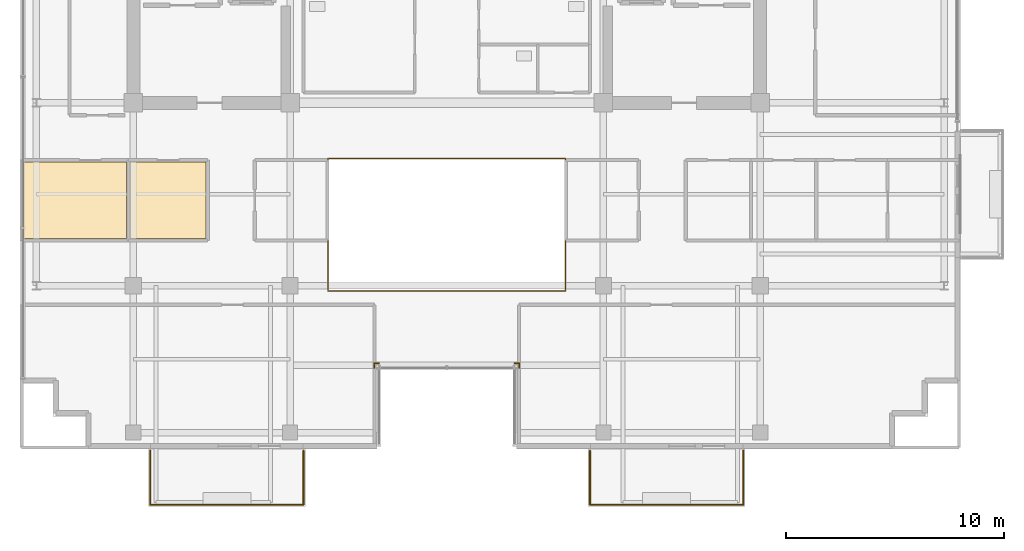
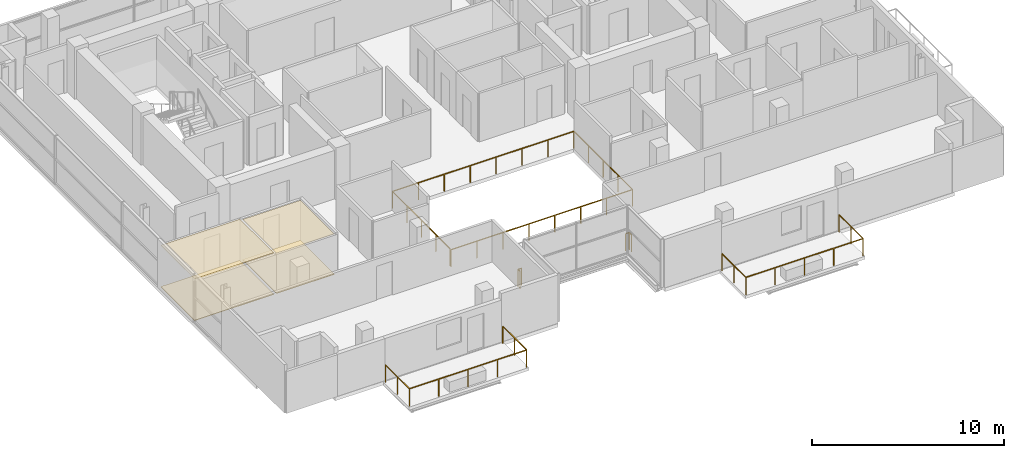
# One storey, part 19 of 22: 7 railings, 4 coverings.
"""IFC4 building model written with IfcOpenShell, lengths in metres."""

from ifc_helpers import new_model, si_unit, direction, frame, origin, origin_2d, place, context, subcontext, project, spatial, polyline, rectangle, outline, extrude, material, layer, layer_set, type_object, element, save


model = new_model("IFC4")

# Units and contexts
model_context = context("Model", 3, precision=1e-05, world=origin(), true_north=direction((0.0, 1.0)))
body_context = subcontext(model_context, "Body", "Model", "MODEL_VIEW")
ifc_project = project(units=[si_unit("LENGTHUNIT", "METRE"), si_unit("AREAUNIT", "SQUARE_METRE"), si_unit("VOLUMEUNIT", "CUBIC_METRE"), si_unit("PLANEANGLEUNIT", "RADIAN"), si_unit("MASSUNIT", "GRAM", prefix="KILO")], contexts=[model_context])

# Site, building, storey
site_placement = place(None, origin())
site = spatial("IfcSite", under=ifc_project, at=site_placement, CompositionType="ELEMENT")
building_placement = place(site_placement, origin())
building = spatial("IfcBuilding", under=site, at=building_placement, Name="Zarnakvel Exchange Tower", CompositionType="ELEMENT")
storey_placement = place(building_placement, frame((0.0, 0.0, 251.800048828125)))
storey = spatial("IfcBuildingStorey", under=building, at=storey_placement, Name="L71", CompositionType="ELEMENT", Elevation=251.800048828125)

# Coverings
ifc_material_1 = material(Name="Perforated Bronze Acoustic Metal Ceiling", Category="aluminium")
ifc_layer_1 = layer(ifc_material_1, 0.02001953125)
ifc_layer_set_1 = layer_set([ifc_layer_1], Name="Perforated Bronze Acoustic Metal Ceiling")
covering_type_1 = type_object("IfcCoveringType", Name="CLG-01", PredefinedType="CEILING", material=ifc_layer_set_1)
covering_1_placement = place(storey_placement, frame((0.0, 0.0, 2.64501953125)))
element("IfcCovering", 1, at=covering_1_placement, inside=storey, type_object=covering_type_1, Name="L71 Suspended Acoustic Ceiling (Sovereign Wealth Office)", PredefinedType="CEILING", context=body_context, shape_type="SweptSolid", body=[
    extrude(outline(polyline([(-19.449951171875, -3.909912109375), (-14.701904296875, -3.909912109375), (-14.701904296875, -7.43994140625), (-19.449951171875, -7.43994140625), (-19.449951171875, -3.909912109375)])), origin(), (0.0, 0.0, 1.0), 0.02001953125),
])
covering_2_placement = place(storey_placement, frame((0.0, 0.0, 2.554931640625)))
element("IfcCovering", 2, at=covering_2_placement, inside=storey, type_object=covering_type_1, Name="L71 Suspended Acoustic Ceiling (Corporate Advisory Suite)", PredefinedType="CEILING", context=body_context, shape_type="SweptSolid", body=[
    extrude(outline(polyline([(-14.5419921875, -3.909912109375), (-11.06005859375, -3.909912109375), (-11.06005859375, -7.43994140625), (-14.5419921875, -7.43994140625), (-14.5419921875, -3.909912109375)])), origin(), (0.0, 0.0, 1.0), 0.02001953125),
])
ifc_material_2 = material(Name="Heavy-Duty Raised Access Floor Panel", Category="steel")
ifc_layer_2 = layer(ifc_material_2, 0.034912109375)
ifc_layer_set_2 = layer_set([ifc_layer_2], Name="Heavy-Duty Raised Access Floor Panel")
covering_type_2 = type_object("IfcCoveringType", Name="FLR-02", PredefinedType="FLOORING", material=ifc_layer_set_2)
covering_3_placement = place(storey_placement, origin())
element("IfcCovering", 3, at=covering_3_placement, inside=storey, type_object=covering_type_2, Name="L71 Floor Finish (Sovereign Wealth Office)", PredefinedType="FLOORING", context=body_context, shape_type="SweptSolid", body=[
    extrude(outline(polyline([(-19.449951171875, -3.909912109375), (-14.701904296875, -3.909912109375), (-14.701904296875, -7.43994140625), (-19.449951171875, -7.43994140625), (-19.449951171875, -3.909912109375)])), origin(), (0.0, 0.0, 1.0), 0.034912109375),
])
covering_4_placement = place(storey_placement, origin())
element("IfcCovering", 4, at=covering_4_placement, inside=storey, type_object=covering_type_2, Name="L71 Floor Finish (Corporate Advisory Suite)", PredefinedType="FLOORING", context=body_context, shape_type="SweptSolid", body=[
    extrude(outline(polyline([(-14.5419921875, -3.909912109375), (-11.06005859375, -3.909912109375), (-11.06005859375, -7.43994140625), (-14.5419921875, -7.43994140625), (-14.5419921875, -3.909912109375)])), origin(), (0.0, 0.0, 1.0), 0.034912109375),
])

# Railings
ifc_material_3 = material(Name="Architectural Bronze Anodised Aluminium", Category="aluminium")
railing_type_1 = type_object("IfcRailingType", Name="GR-02", PredefinedType="GUARDRAIL", material=ifc_material_3)
railing_1_placement = place(storey_placement, frame((-13.6201171875, -17.179931640625, -0.03515625)))
element("IfcRailing", 5, at=railing_1_placement, inside=storey, type_object=railing_type_1, Name="L71 Balcony Guardrail BAL-L71-SW", PredefinedType="GUARDRAIL", context=body_context, shape_type="SweptSolid", body=[
    extrude(rectangle(XDim=0.048095703125, YDim=0.048095703125, at=origin_2d()), frame((0.0, 0.0, 1.09619140625), z_axis=(0.0, -1.0, 0.0), x_axis=(1.0, 0.0, 0.0)), (0.0, 0.0, 1.0), 2.489990234375),
    extrude(rectangle(XDim=0.048095703125, YDim=0.048095703125, at=origin_2d()), frame((0.0, -2.489990234375, 1.09619140625), z_axis=(1.0, 0.0, 0.0), x_axis=(0.0, 1.0, 0.0)), (0.0, 0.0, 1.0), 7.0400390625),
    extrude(rectangle(XDim=0.048095703125, YDim=0.048095703125, at=origin_2d()), frame((7.0400390625, -2.489990234375, 1.09619140625), z_axis=(0.0, 1.0, 0.0), x_axis=(-1.0, 0.0, 0.0)), (0.0, 0.0, 1.0), 2.489990234375),
    extrude(rectangle(XDim=0.0419921875, YDim=0.0419921875, at=origin_2d()), origin(), (0.0, 0.0, 1.0), 1.072021484375),
    extrude(rectangle(XDim=0.0419921875, YDim=0.0419921875, at=origin_2d()), frame((0.0, -1.2451171875, 0.0)), (0.0, 0.0, 1.0), 1.072021484375),
    extrude(rectangle(XDim=0.0419921875, YDim=0.0419921875, at=origin_2d()), frame((0.0, -2.489990234375, 0.0)), (0.0, 0.0, 1.0), 1.072021484375),
    extrude(rectangle(XDim=0.0419921875, YDim=0.0419921875, at=origin_2d()), frame((1.760009765625, -2.489990234375, 0.0)), (0.0, 0.0, 1.0), 1.072021484375),
    extrude(rectangle(XDim=0.0419921875, YDim=0.0419921875, at=origin_2d()), frame((3.52001953125, -2.489990234375, 0.0)), (0.0, 0.0, 1.0), 1.072021484375),
    extrude(rectangle(XDim=0.0419921875, YDim=0.0419921875, at=origin_2d()), frame((5.280029296875, -2.489990234375, 0.0)), (0.0, 0.0, 1.0), 1.072021484375),
    extrude(rectangle(XDim=0.0419921875, YDim=0.0419921875, at=origin_2d()), frame((7.0400390625, -2.489990234375, 0.0)), (0.0, 0.0, 1.0), 1.072021484375),
    extrude(rectangle(XDim=0.0419921875, YDim=0.0419921875, at=origin_2d()), frame((7.0400390625, -1.2451171875, 0.0)), (0.0, 0.0, 1.0), 1.072021484375),
    extrude(rectangle(XDim=0.0419921875, YDim=0.0419921875, at=origin_2d()), frame((7.0400390625, 0.0, 0.0)), (0.0, 0.0, 1.0), 1.072021484375),
])
railing_2_placement = place(storey_placement, frame((6.580078125, -17.179931640625, -0.03515625)))
element("IfcRailing", 6, at=railing_2_placement, inside=storey, type_object=railing_type_1, Name="L71 Balcony Guardrail BAL-L71-SE", PredefinedType="GUARDRAIL", context=body_context, shape_type="SweptSolid", body=[
    extrude(rectangle(XDim=0.048095703125, YDim=0.048095703125, at=origin_2d()), frame((0.0, 0.0, 1.09619140625), z_axis=(0.0, -1.0, 0.0), x_axis=(1.0, 0.0, 0.0)), (0.0, 0.0, 1.0), 2.489990234375),
    extrude(rectangle(XDim=0.048095703125, YDim=0.048095703125, at=origin_2d()), frame((0.0, -2.489990234375, 1.09619140625), z_axis=(1.0, 0.0, 0.0), x_axis=(0.0, 1.0, 0.0)), (0.0, 0.0, 1.0), 7.0400390625),
    extrude(rectangle(XDim=0.048095703125, YDim=0.048095703125, at=origin_2d()), frame((7.0400390625, -2.489990234375, 1.09619140625), z_axis=(0.0, 1.0, 0.0), x_axis=(-1.0, 0.0, 0.0)), (0.0, 0.0, 1.0), 2.489990234375),
    extrude(rectangle(XDim=0.0419921875, YDim=0.0419921875, at=origin_2d()), origin(), (0.0, 0.0, 1.0), 1.072021484375),
    extrude(rectangle(XDim=0.0419921875, YDim=0.0419921875, at=origin_2d()), frame((0.0, -1.2451171875, 0.0)), (0.0, 0.0, 1.0), 1.072021484375),
    extrude(rectangle(XDim=0.0419921875, YDim=0.0419921875, at=origin_2d()), frame((0.0, -2.489990234375, 0.0)), (0.0, 0.0, 1.0), 1.072021484375),
    extrude(rectangle(XDim=0.0419921875, YDim=0.0419921875, at=origin_2d()), frame((1.760009765625, -2.489990234375, 0.0)), (0.0, 0.0, 1.0), 1.072021484375),
    extrude(rectangle(XDim=0.0419921875, YDim=0.0419921875, at=origin_2d()), frame((3.52001953125, -2.489990234375, 0.0)), (0.0, 0.0, 1.0), 1.072021484375),
    extrude(rectangle(XDim=0.0419921875, YDim=0.0419921875, at=origin_2d()), frame((5.280029296875, -2.489990234375, 0.0)), (0.0, 0.0, 1.0), 1.072021484375),
    extrude(rectangle(XDim=0.0419921875, YDim=0.0419921875, at=origin_2d()), frame((7.0400390625, -2.489990234375, 0.0)), (0.0, 0.0, 1.0), 1.072021484375),
    extrude(rectangle(XDim=0.0419921875, YDim=0.0419921875, at=origin_2d()), frame((7.0400390625, -1.2451171875, 0.0)), (0.0, 0.0, 1.0), 1.072021484375),
    extrude(rectangle(XDim=0.0419921875, YDim=0.0419921875, at=origin_2d()), frame((7.0400390625, 0.0, 0.0)), (0.0, 0.0, 1.0), 1.072021484375),
])
railing_3_placement = place(storey_placement, frame((3.340087890625, -13.3798828125, 0.0)))
element("IfcRailing", 7, at=railing_3_placement, inside=storey, type_object=railing_type_1, Name="L71 Corner Spandrel Balustrade #17", PredefinedType="GUARDRAIL", context=body_context, shape_type="SweptSolid", body=[
    extrude(rectangle(XDim=0.048095703125, YDim=0.048095703125, at=origin_2d()), frame((0.0, 0.0, 1.09619140625), z_axis=(0.0, 1.0, 0.0), x_axis=(-1.0, 0.0, 0.0)), (0.0, 0.0, 1.0), 0.219970703125),
    extrude(rectangle(XDim=0.0419921875, YDim=0.0419921875, at=origin_2d()), origin(), (0.0, 0.0, 1.0), 1.072021484375),
    extrude(rectangle(XDim=0.0419921875, YDim=0.0419921875, at=origin_2d()), frame((0.0, 0.219970703125, 0.0)), (0.0, 0.0, 1.0), 1.072021484375),
])
for number, where, name in (
    (8, (3.340087890625, -13.159912109375, 0.0), "L71 Corner Spandrel Balustrade #18"),
    (9, (-3.1201171875, -13.159912109375, 0.0), "L71 Corner Spandrel Balustrade #19"),
):
    element("IfcRailing", number, at=place(storey_placement, frame(where)), inside=storey, type_object=railing_type_1, Name=name, PredefinedType="GUARDRAIL", context=body_context, shape_type="SweptSolid", body=[
        extrude(rectangle(XDim=0.048095703125, YDim=0.048095703125, at=origin_2d()), frame((0.0, 0.0, 1.09619140625), z_axis=(-1.0, 0.0, 0.0), x_axis=(0.0, -1.0, 0.0)), (0.0, 0.0, 1.0), 0.219970703125),
        extrude(rectangle(XDim=0.0419921875, YDim=0.0419921875, at=origin_2d()), origin(), (0.0, 0.0, 1.0), 1.072021484375),
        extrude(rectangle(XDim=0.0419921875, YDim=0.0419921875, at=origin_2d()), frame((-0.219970703125, 0.0, 0.0)), (0.0, 0.0, 1.0), 1.072021484375),
    ])
railing_4_placement = place(storey_placement, frame((-3.340087890625, -13.159912109375, 0.0)))
element("IfcRailing", 10, at=railing_4_placement, inside=storey, type_object=railing_type_1, Name="L71 Corner Spandrel Balustrade #20", PredefinedType="GUARDRAIL", context=body_context, shape_type="SweptSolid", body=[
    extrude(rectangle(XDim=0.048095703125, YDim=0.048095703125, at=origin_2d()), frame((0.0, 0.0, 1.09619140625), z_axis=(0.0, -1.0, 0.0), x_axis=(1.0, 0.0, 0.0)), (0.0, 0.0, 1.0), 0.219970703125),
    extrude(rectangle(XDim=0.0419921875, YDim=0.0419921875, at=origin_2d()), origin(), (0.0, 0.0, 1.0), 1.072021484375),
    extrude(rectangle(XDim=0.0419921875, YDim=0.0419921875, at=origin_2d()), frame((0.0, -0.219970703125, 0.0)), (0.0, 0.0, 1.0), 1.072021484375),
])
railing_type_2 = type_object("IfcRailingType", Name="GR-03", PredefinedType="GUARDRAIL", material=ifc_material_3)
railing_5_placement = place(storey_placement, frame((-5.449951171875, -9.85009765625, 0.0)))
element("IfcRailing", 11, at=railing_5_placement, inside=storey, type_object=railing_type_2, Name="L71 Atrium Void Perimeter Balustrade", PredefinedType="GUARDRAIL", context=body_context, shape_type="SweptSolid", body=[
    extrude(rectangle(XDim=0.048095703125, YDim=0.048095703125, at=origin_2d()), frame((0.0, 0.0, 1.076171875), z_axis=(1.0, 0.0, 0.0), x_axis=(0.0, 1.0, 0.0)), (0.0, 0.0, 1.0), 10.89990234375),
    extrude(rectangle(XDim=0.048095703125, YDim=0.048095703125, at=origin_2d()), frame((10.89990234375, 0.0, 1.076171875), z_axis=(0.0, 1.0, 0.0), x_axis=(-1.0, 0.0, 0.0)), (0.0, 0.0, 1.0), 6.10009765625),
    extrude(rectangle(XDim=0.048095703125, YDim=0.048095703125, at=origin_2d()), frame((10.89990234375, 6.10009765625, 1.076171875), z_axis=(-1.0, 0.0, 0.0), x_axis=(0.0, -1.0, 0.0)), (0.0, 0.0, 1.0), 10.89990234375),
    extrude(rectangle(XDim=0.048095703125, YDim=0.048095703125, at=origin_2d()), frame((0.0, 6.10009765625, 1.076171875), z_axis=(0.0, -1.0, 0.0), x_axis=(1.0, 0.0, 0.0)), (0.0, 0.0, 1.0), 6.02001953125),
    extrude(rectangle(XDim=0.0419921875, YDim=0.0419921875, at=origin_2d()), origin(), (0.0, 0.0, 1.0), 1.052001953125),
    extrude(rectangle(XDim=0.0419921875, YDim=0.0419921875, at=origin_2d()), frame((1.55712890625, 0.0, 0.0)), (0.0, 0.0, 1.0), 1.052001953125),
    extrude(rectangle(XDim=0.0419921875, YDim=0.0419921875, at=origin_2d()), frame((3.1142578125, 0.0, 0.0)), (0.0, 0.0, 1.0), 1.052001953125),
    extrude(rectangle(XDim=0.0419921875, YDim=0.0419921875, at=origin_2d()), frame((4.67138671875, 0.0, 0.0)), (0.0, 0.0, 1.0), 1.052001953125),
    extrude(rectangle(XDim=0.0419921875, YDim=0.0419921875, at=origin_2d()), frame((6.228515625, 0.0, 0.0)), (0.0, 0.0, 1.0), 1.052001953125),
    extrude(rectangle(XDim=0.0419921875, YDim=0.0419921875, at=origin_2d()), frame((7.78564453125, 0.0, 0.0)), (0.0, 0.0, 1.0), 1.052001953125),
    extrude(rectangle(XDim=0.0419921875, YDim=0.0419921875, at=origin_2d()), frame((9.3427734375, 0.0, 0.0)), (0.0, 0.0, 1.0), 1.052001953125),
    extrude(rectangle(XDim=0.0419921875, YDim=0.0419921875, at=origin_2d()), frame((10.89990234375, 0.0, 0.0)), (0.0, 0.0, 1.0), 1.052001953125),
    extrude(rectangle(XDim=0.0419921875, YDim=0.0419921875, at=origin_2d()), frame((10.89990234375, 1.52490234375, 0.0)), (0.0, 0.0, 1.0), 1.052001953125),
    extrude(rectangle(XDim=0.0419921875, YDim=0.0419921875, at=origin_2d()), frame((10.89990234375, 3.050048828125, 0.0)), (0.0, 0.0, 1.0), 1.052001953125),
    extrude(rectangle(XDim=0.0419921875, YDim=0.0419921875, at=origin_2d()), frame((10.89990234375, 4.5751953125, 0.0)), (0.0, 0.0, 1.0), 1.052001953125),
    extrude(rectangle(XDim=0.0419921875, YDim=0.0419921875, at=origin_2d()), frame((10.89990234375, 6.10009765625, 0.0)), (0.0, 0.0, 1.0), 1.052001953125),
    extrude(rectangle(XDim=0.0419921875, YDim=0.0419921875, at=origin_2d()), frame((9.3427734375, 6.10009765625, 0.0)), (0.0, 0.0, 1.0), 1.052001953125),
    extrude(rectangle(XDim=0.0419921875, YDim=0.0419921875, at=origin_2d()), frame((7.78564453125, 6.10009765625, 0.0)), (0.0, 0.0, 1.0), 1.052001953125),
    extrude(rectangle(XDim=0.0419921875, YDim=0.0419921875, at=origin_2d()), frame((6.228515625, 6.10009765625, 0.0)), (0.0, 0.0, 1.0), 1.052001953125),
    extrude(rectangle(XDim=0.0419921875, YDim=0.0419921875, at=origin_2d()), frame((4.67138671875, 6.10009765625, 0.0)), (0.0, 0.0, 1.0), 1.052001953125),
    extrude(rectangle(XDim=0.0419921875, YDim=0.0419921875, at=origin_2d()), frame((3.1142578125, 6.10009765625, 0.0)), (0.0, 0.0, 1.0), 1.052001953125),
    extrude(rectangle(XDim=0.0419921875, YDim=0.0419921875, at=origin_2d()), frame((1.55712890625, 6.10009765625, 0.0)), (0.0, 0.0, 1.0), 1.052001953125),
    extrude(rectangle(XDim=0.0419921875, YDim=0.0419921875, at=origin_2d()), frame((0.0, 6.10009765625, 0.0)), (0.0, 0.0, 1.0), 1.052001953125),
    extrude(rectangle(XDim=0.0419921875, YDim=0.0419921875, at=origin_2d()), frame((0.0, 4.59521484375, 0.0)), (0.0, 0.0, 1.0), 1.052001953125),
    extrude(rectangle(XDim=0.0419921875, YDim=0.0419921875, at=origin_2d()), frame((0.0, 3.090087890625, 0.0)), (0.0, 0.0, 1.0), 1.052001953125),
    extrude(rectangle(XDim=0.0419921875, YDim=0.0419921875, at=origin_2d()), frame((0.0, 1.5849609375, 0.0)), (0.0, 0.0, 1.0), 1.052001953125),
    extrude(rectangle(XDim=0.0419921875, YDim=0.0419921875, at=origin_2d()), frame((0.0, 0.080078125, 0.0)), (0.0, 0.0, 1.0), 1.052001953125),
])

save(model, "model.ifc")
